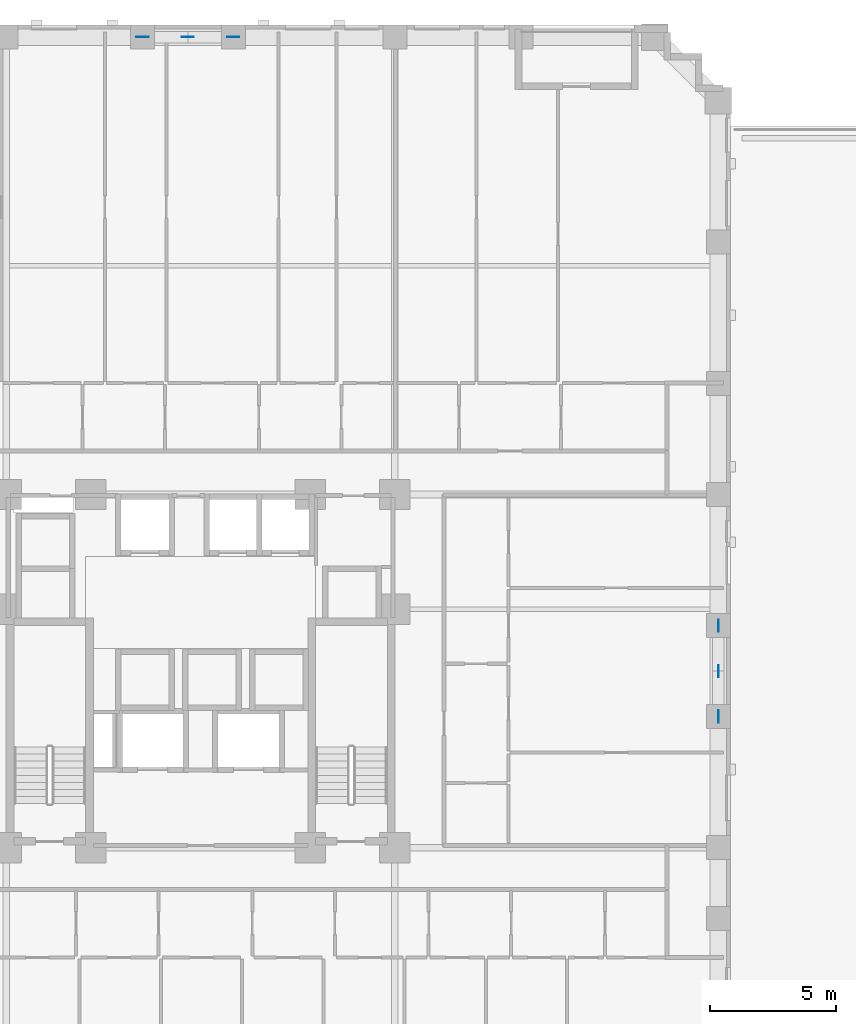
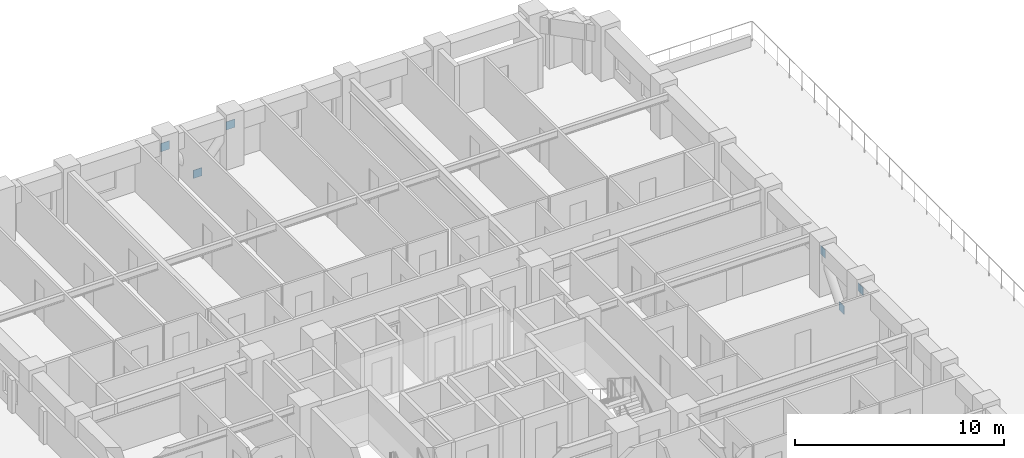
# One storey, part 11 of 14: 6 discrete accessories.
"""IFC4 building model written with IfcOpenShell, lengths in metres."""

from ifc_helpers import new_model, si_unit, derived_unit, direction, frame, origin, origin_2d, place, context, subcontext, project, spatial, rectangle, extrude, material, layer, layer_set, type_object, element, save


model = new_model("IFC4")

# Units and contexts
model_context = context("Model", 3, precision=1e-05, world=origin(), true_north=direction((0.0, 1.0)))
body_context = subcontext(model_context, "Body", "Model", "MODEL_VIEW")
ifc_project = project(units=[si_unit("LENGTHUNIT", "METRE"), si_unit("AREAUNIT", "SQUARE_METRE"), si_unit("VOLUMEUNIT", "CUBIC_METRE"), si_unit("PLANEANGLEUNIT", "RADIAN"), si_unit("MASSUNIT", "GRAM", prefix="KILO"), derived_unit("THERMALTRANSMITTANCEUNIT", [(si_unit("MASSUNIT", "GRAM", prefix="KILO"), 1), (si_unit("TIMEUNIT", "SECOND"), -3), (si_unit("THERMODYNAMICTEMPERATUREUNIT", "KELVIN"), -1)])], contexts=[model_context])

# Site, building, storey
site_placement = place(None, origin())
site = spatial("IfcSite", under=ifc_project, at=site_placement, CompositionType="ELEMENT")
building_placement = place(site_placement, origin())
building = spatial("IfcBuilding", under=site, at=building_placement, Name="Korrvale Station Residences", CompositionType="ELEMENT")
storey_placement = place(building_placement, frame((0.0, 0.0, 25.800048828125)))
storey = spatial("IfcBuildingStorey", under=building, at=storey_placement, Name="L05", CompositionType="ELEMENT", Elevation=25.800048828125)

# Discrete accessories
ifc_material = material(Name="Steel S355", Category="steel")
ifc_layer = layer(ifc_material, 0.02490234375, Name="Steel S355")
ifc_layer_set = layer_set([ifc_layer], Name="Steel S355")
discrete_accessory_type = type_object("IfcDiscreteAccessoryType", Name="ACC-GUSSET-25", PredefinedType="BRACKET", material=ifc_layer_set)
for number, where, z_axis, x_axis, name in (
    (1, (25.0, 47.1201171875, -0.219970703125), (0.0, 0.0, 1.0), (1.0, 0.0, 0.0), "L05 N Brace End Gusset Connection M"),
    (2, (23.199951171875, 47.1201171875, 1.969970703125), (0.0, 0.0, 1.0), (1.0, 0.0, 0.0), "L05 N Brace End Gusset Connection A"),
    (3, (26.800048828125, 47.1201171875, 1.969970703125), (0.0, 0.0, 1.0), (1.0, 0.0, 0.0), "L05 N Brace End Gusset Connection B"),
    (4, (46.02001953125, 22.0, -0.219970703125), (0.0, 0.0, 1.0), (0.0, 1.0, 0.0), "L05 E Brace End Gusset Connection M"),
    (5, (46.02001953125, 20.199951171875, 1.969970703125), (0.0, 0.0, 1.0), (0.0, 1.0, 0.0), "L05 E Brace End Gusset Connection A"),
    (6, (46.02001953125, 23.800048828125, 1.969970703125), (0.0, 0.0, 1.0), (0.0, 1.0, 0.0), "L05 E Brace End Gusset Connection B"),
):
    element("IfcDiscreteAccessory", number, at=place(storey_placement, frame(where, z_axis=z_axis, x_axis=x_axis)), inside=storey, type_object=discrete_accessory_type, Name=name, PredefinedType="BRACKET", context=body_context, shape_type="SweptSolid", body=[
        extrude(rectangle(XDim=0.47998046875, YDim=0.02490234375, at=origin_2d()), origin(), (0.0, 0.0, 1.0), 0.47998046875),
    ])

save(model, "model.ifc")
